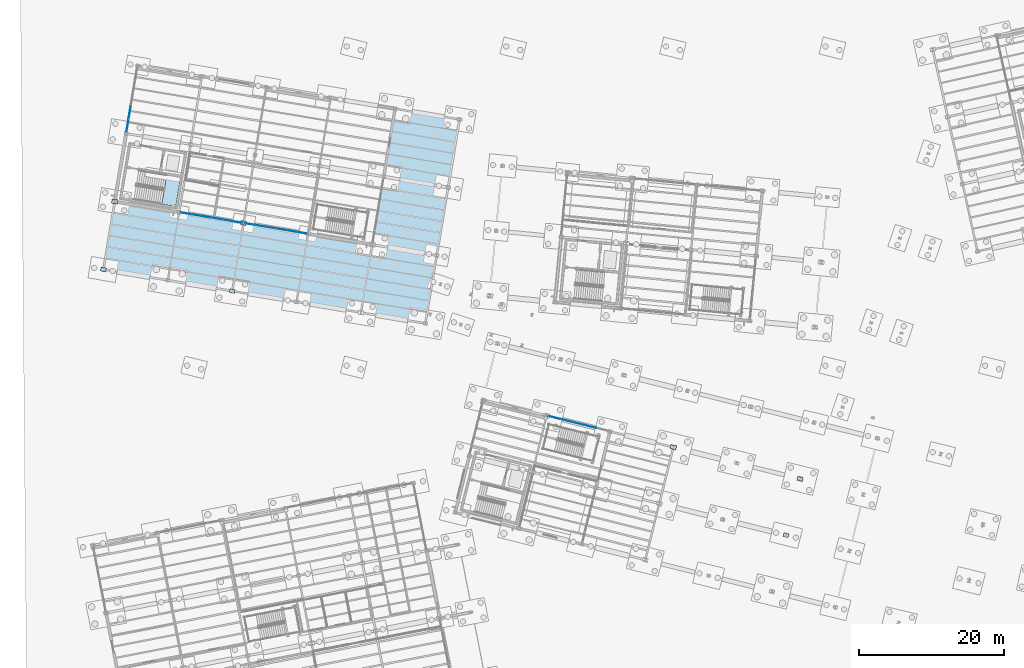
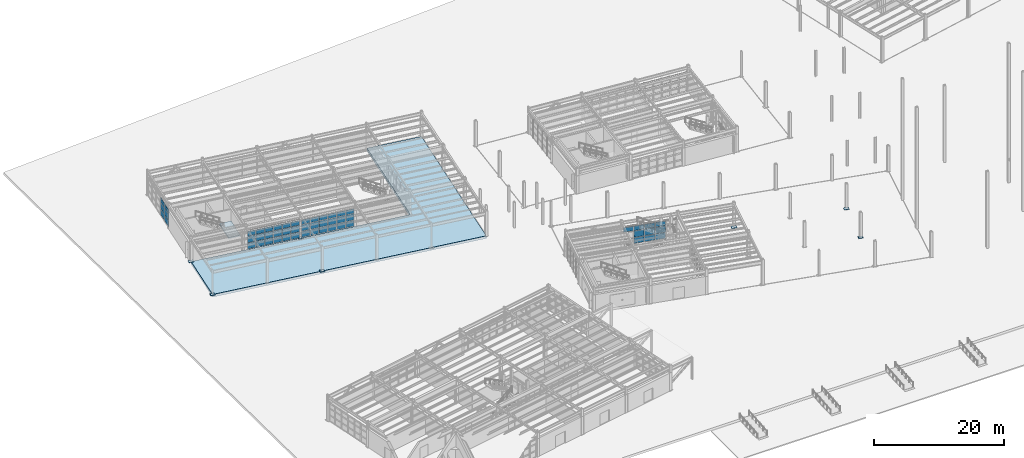
# One storey, part 63 of 108: 59 plates, 2 slabs, 5 elements without a shape of their own.
"""IFC4 building model written with IfcOpenShell, lengths in metres."""

import ifcopenshell
import ifcopenshell.guid

model = None  # the IFC model being written
_history = None  # IfcOwnerHistory: only IFC2X3 demands one
_inside = {}  # id of a spatial element -> (the spatial element, [elements in it])
_under = {}  # id of a project, library or spatial element -> (it, [spatial elements below it])
_declared = {}  # id of a project -> (the project, [libraries it declares])
_typed = {}  # id of a type object -> (the type object, [elements of that type])
_made_of = {}  # id of a material, layer set ... -> (it, [elements and type objects made of it])


def new_model(schema):
    """Start an empty IFC model of exactly this schema.

    Asked for "IFC4X3", IfcOpenShell would pick the latest addendum, in which some entities
    have other attributes; the version numbers below select the first issue.
    IFC2X3 requires an IfcOwnerHistory on every rooted entity: one is made here for all.
    """
    global model, _history
    if schema == "IFC4X3":
        model = ifcopenshell.file(schema_version=(4, 3, 0, 0))
    else:
        model = ifcopenshell.file(schema=schema)
    _inside.clear()
    _under.clear()
    _declared.clear()
    _typed.clear()
    _made_of.clear()
    _history = None
    if model.schema == "IFC2X3":
        org = make("IfcOrganization", Name="unknown")
        user = make(
            "IfcPersonAndOrganization",
            ThePerson=make("IfcPerson", FamilyName="unknown"),
            TheOrganization=org,
        )
        app = make(
            "IfcApplication",
            ApplicationDeveloper=org,
            Version="unknown",
            ApplicationFullName="unknown",
            ApplicationIdentifier="unknown",
        )
        _history = make(
            "IfcOwnerHistory",
            OwningUser=user,
            OwningApplication=app,
            ChangeAction="ADDED",
            CreationDate=0,
        )
    return model


def make(cls, **values):
    """One entity of the class cls with the attributes given. An attribute that is None is left unset."""
    return model.create_entity(
        cls, **{name: value for name, value in values.items() if value is not None}
    )


def rooted(cls, **values):
    """An entity with a GlobalId (a new one), such as an element, a storey or a relation."""
    return make(cls, GlobalId=ifcopenshell.guid.new(), OwnerHistory=_history, **values)


def si_unit(unit_type, name, prefix=None):
    """IfcSIUnit, for example si_unit("LENGTHUNIT", "METRE", prefix="MILLI")."""
    return make("IfcSIUnit", UnitType=unit_type, Prefix=prefix, Name=name)


def assignment(units):
    """IfcUnitAssignment: the units of a project."""
    return None if units is None else make("IfcUnitAssignment", Units=units)


def point(xyz):
    """IfcCartesianPoint."""
    return None if xyz is None else make("IfcCartesianPoint", Coordinates=xyz)


def direction(xyz):
    """IfcDirection."""
    return None if xyz is None else make("IfcDirection", DirectionRatios=xyz)


def frame(location, z_axis=None, x_axis=None):
    """IfcAxis2Placement3D, a coordinate frame: its origin and axes. An axis left out is left unset."""
    return make(
        "IfcAxis2Placement3D",
        Location=point(location),
        Axis=direction(z_axis),
        RefDirection=direction(x_axis),
    )


def frame_2d(location, x_axis=None):
    """IfcAxis2Placement2D, a coordinate frame in the plane: its origin and x axis."""
    return make(
        "IfcAxis2Placement2D", Location=point(location), RefDirection=direction(x_axis)
    )


def origin():
    """The frame at (0, 0, 0) with its axes left unset."""
    return frame((0.0, 0.0, 0.0))


def origin_2d():
    """The frame at (0, 0) in the plane with its x axis left unset."""
    return frame_2d((0.0, 0.0))


def place(relative_to, where):
    """IfcLocalPlacement: puts the frame where relative to a parent placement (None: the world)."""
    return make(
        "IfcLocalPlacement", PlacementRelTo=relative_to, RelativePlacement=where
    )


def context(
    kind, dimensions, precision=None, world=None, true_north=None, identifier=None
):
    """IfcGeometricRepresentationContext, for example the 3D "Model" context."""
    return make(
        "IfcGeometricRepresentationContext",
        ContextIdentifier=identifier,
        ContextType=kind,
        CoordinateSpaceDimension=dimensions,
        Precision=precision,
        WorldCoordinateSystem=world,
        TrueNorth=true_north,
    )


def subcontext(parent, identifier, kind, view, scale=None):
    """IfcGeometricRepresentationSubContext, for example "Body" below "Model"."""
    return make(
        "IfcGeometricRepresentationSubContext",
        ContextIdentifier=identifier,
        ContextType=kind,
        ParentContext=parent,
        TargetScale=scale,
        TargetView=view,
    )


def project(units=None, contexts=None):
    """IfcProject with its units and contexts."""
    return rooted(
        "IfcProject",
        Name="project",
        RepresentationContexts=contexts,
        UnitsInContext=assignment(units),
    )


def spatial(cls, under=None, at=None, **own):
    """A site, building, storey or space (cls), placed at a placement, below another one or the project."""
    s = rooted(cls, ObjectPlacement=at, **own)
    if under is not None:
        _under.setdefault(under.id(), (under, []))[1].append(s)
    return s


def polyline(points):
    """IfcPolyline through the points."""
    return make("IfcPolyline", Points=[point(p) for p in points])


def profile(cls, at=None, kind="AREA", **sizes):
    """A parametric profile (cls). Its sizes go by their IFC names, for example OverallWidth=200.0."""
    return make(cls, ProfileType=kind, Position=at, **sizes)


def rectangle(**sizes):
    """IfcRectangleProfileDef."""
    return profile("IfcRectangleProfileDef", **sizes)


def outline(outer, holes=None, kind="AREA"):
    """IfcArbitraryClosedProfileDef: a profile drawn as a closed curve; with holes, ...WithVoids."""
    if holes is None:
        return make("IfcArbitraryClosedProfileDef", ProfileType=kind, OuterCurve=outer)
    return make(
        "IfcArbitraryProfileDefWithVoids",
        ProfileType=kind,
        OuterCurve=outer,
        InnerCurves=holes,
    )


def extrude(swept, where, along, depth):
    """IfcExtrudedAreaSolid: the profile swept, set in the frame where, extruded along a direction by depth."""
    return make(
        "IfcExtrudedAreaSolid",
        SweptArea=swept,
        Position=where,
        ExtrudedDirection=direction(along),
        Depth=depth,
    )


def shape(context_of_items, identifier, shape_type, items):
    """IfcShapeRepresentation: the items that make up one representation, for example the "Body"."""
    return make(
        "IfcShapeRepresentation",
        ContextOfItems=context_of_items,
        RepresentationIdentifier=identifier,
        RepresentationType=shape_type,
        Items=items,
    )


def material(Name=None, Category=None):
    """IfcMaterial."""
    return make("IfcMaterial", Name=Name, Category=Category)


def layer(
    of_material, thickness, ventilated=None, Name=None, Category=None, Priority=None
):
    """IfcMaterialLayer: one layer of a wall or slab, of a material (None: an air gap)."""
    return make(
        "IfcMaterialLayer",
        Material=of_material,
        LayerThickness=thickness,
        IsVentilated=ventilated,
        Name=Name,
        Category=Category,
        Priority=Priority,
    )


def layer_set(layers, Name=None):
    """IfcMaterialLayerSet."""
    return make("IfcMaterialLayerSet", MaterialLayers=layers, LayerSetName=Name)


def made_of(thing, what):
    """Note that an element or type object is made of a material, layer set ...; save() writes the relation."""
    if what is not None:
        _made_of.setdefault(what.id(), (what, []))[1].append(thing)
    return thing


def type_object(cls, material=None, **own):
    """A type object (cls), such as IfcWallType, which elements share."""
    return made_of(rooted(cls, **own), material)


def element(
    cls,
    number,
    at=None,
    inside=None,
    cuts=None,
    type_object=None,
    material=None,
    context=None,
    identifier="Body",
    shape_type=None,
    held_by="IfcProductDefinitionShape",
    body=None,
    shapes=None,
    **own,
):
    """One element of the class cls, such as IfcWall. Its Tag is "e" and its number.

    at: its placement. inside: the storey or other place that contains it. cuts: it is an
    opening in that element (IfcRelVoidsElement). A single representation is given by context,
    identifier, shape_type and body (its items); several are given by shapes. held_by: the class
    of the entity that holds the representations. save() writes the other relations.
    """
    e = rooted(cls, Tag="e%d" % number, ObjectPlacement=at, **own)
    if body is not None:
        shapes = [shape(context, identifier, shape_type, body)]
    if shapes is not None:
        e.Representation = make(held_by, Representations=shapes)
    if inside is not None:
        _inside.setdefault(inside.id(), (inside, []))[1].append(e)
    if cuts is not None:
        rooted(
            "IfcRelVoidsElement", RelatingBuildingElement=cuts, RelatedOpeningElement=e
        )
    if type_object is not None:
        _typed.setdefault(type_object.id(), (type_object, []))[1].append(e)
    return made_of(e, material)


def aggregate(whole, parts):
    """IfcRelAggregates: a whole, such as a stair, and the parts it consists of."""
    return rooted("IfcRelAggregates", RelatingObject=whole, RelatedObjects=parts)


def save(model, path):
    """Write the relations noted so far, then the file.

    IfcRelAggregates (storeys below a building ...), IfcRelContainedInSpatialStructure (elements
    in a storey), IfcRelDefinesByType, IfcRelAssociatesMaterial and IfcRelDeclares: one each for
    every whole, place, type object, material and project.
    """
    for whole, parts in _under.values():
        aggregate(whole, parts)
    for where, things in _inside.values():
        rooted(
            "IfcRelContainedInSpatialStructure",
            RelatedElements=things,
            RelatingStructure=where,
        )
    for kind, things in _typed.values():
        rooted("IfcRelDefinesByType", RelatedObjects=things, RelatingType=kind)
    for what, things in _made_of.values():
        rooted("IfcRelAssociatesMaterial", RelatedObjects=things, RelatingMaterial=what)
    for by, libraries in _declared.values():
        rooted("IfcRelDeclares", RelatingContext=by, RelatedDefinitions=libraries)
    model.write(path)


model = new_model("IFC4")

# Units and contexts
model_context = context("Model", 3, precision=1e-05, world=origin(), true_north=direction((0.0, 1.0)))
body_context = subcontext(model_context, "Body", "Model", "MODEL_VIEW")
ifc_project = project(units=[si_unit("LENGTHUNIT", "METRE"), si_unit("AREAUNIT", "SQUARE_METRE"), si_unit("VOLUMEUNIT", "CUBIC_METRE"), si_unit("PLANEANGLEUNIT", "RADIAN"), si_unit("MASSUNIT", "GRAM", prefix="KILO")], contexts=[model_context])

# Site, building, storey
site_placement = place(None, origin())
site = spatial("IfcSite", under=ifc_project, at=site_placement, CompositionType="ELEMENT")
building_placement = place(site_placement, origin())
building = spatial("IfcBuilding", under=site, at=building_placement, Name="Vireo Bluff Cable Station", CompositionType="ELEMENT")
storey_placement = place(building_placement, origin())
storey = spatial("IfcBuildingStorey", under=building, at=storey_placement, Name="L00", CompositionType="ELEMENT", Elevation=0.0)

# Plates
ifc_material_1 = material(Name="Steel ASTM A572 Gr. 50", Category="steel")
ifc_layer_1 = layer(ifc_material_1, 0.044921875, Name="Steel ASTM A572 Gr. 50")
ifc_layer_set_1 = layer_set([ifc_layer_1], Name="Steel ASTM A572 Gr. 50")
plate_type_1 = type_object("IfcPlateType", Name="BASEPLATE-720X540X45", PredefinedType="SHEET", material=ifc_layer_set_1)
for number, where, z_axis, x_axis, name in (
    (1, (99.5986328125, 34.8759765625, 0.0), (0.0, 0.0, 1.0), (0.970295726276, -0.2419218956, 0.0), "V1 column baseplate 22"),
    (2, (23.253173828125, 68.529052734375, 0.0), (0.0, 0.0, 1.0), (0.986285601537, -0.165047605861, 0.0), "V4 column baseplate 166"),
):
    element("IfcPlate", number, at=place(storey_placement, frame(where, z_axis=z_axis, x_axis=x_axis)), inside=storey, type_object=plate_type_1, Name=name, PredefinedType="SHEET", context=body_context, shape_type="SweptSolid", body=[
        extrude(rectangle(XDim=0.719970703125, YDim=0.5400390625, at=origin_2d()), origin(), (0.0, 0.0, 1.0), 0.044921875),
    ])
ifc_layer_2 = layer(ifc_material_1, 0.047119140625, Name="Steel ASTM A572 Gr. 50")
ifc_layer_set_2 = layer_set([ifc_layer_2], Name="Steel ASTM A572 Gr. 50")
plate_type_2 = type_object("IfcPlateType", Name="BASEPLATE-740X550X47", PredefinedType="SHEET", material=ifc_layer_set_2)
plate_1_placement = place(storey_placement, frame((5.5, 71.5, 0.0), z_axis=(0.0, 0.0, 1.0), x_axis=(0.986285601537, -0.165047605861, 0.0)))
element("IfcPlate", 3, at=plate_1_placement, inside=storey, type_object=plate_type_2, Name="V4 column baseplate 158", PredefinedType="SHEET", context=body_context, shape_type="SweptSolid", body=[
    extrude(rectangle(XDim=0.739990234375, YDim=0.550048828125, at=origin_2d()), origin(), (0.0, 0.0, 1.0), 0.047119140625),
])
ifc_layer_3 = layer(ifc_material_1, 0.050048828125, Name="Steel ASTM A572 Gr. 50")
ifc_layer_set_3 = layer_set([ifc_layer_3], Name="Steel ASTM A572 Gr. 50")
plate_type_3 = type_object("IfcPlateType", Name="BASEPLATE-780X580X50", PredefinedType="SHEET", material=ifc_layer_set_3)
for number, where, z_axis, x_axis, name in (
    (4, (101.5341796875, 42.63818359375, 0.0), (0.0, 0.0, 1.0), (0.970295726276, -0.2419218956, 0.0), "V1 column baseplate 23"),
    (5, (24.821044921875, 77.89892578125, 0.0), (0.0, 0.0, 1.0), (0.986285601537, -0.165047605861, 0.0), "V4 column baseplate 167"),
):
    element("IfcPlate", number, at=place(storey_placement, frame(where, z_axis=z_axis, x_axis=x_axis)), inside=storey, type_object=plate_type_3, Name=name, PredefinedType="SHEET", context=body_context, shape_type="SweptSolid", body=[
        extrude(rectangle(XDim=0.780029296875, YDim=0.580078125, at=origin_2d()), origin(), (0.0, 0.0, 1.0), 0.050048828125),
    ])
ifc_layer_4 = layer(ifc_material_1, 0.052001953125, Name="Steel ASTM A572 Gr. 50")
ifc_layer_set_4 = layer_set([ifc_layer_4], Name="Steel ASTM A572 Gr. 50")
plate_type_4 = type_object("IfcPlateType", Name="BASEPLATE-820X600X52", PredefinedType="SHEET", material=ifc_layer_set_4)
for number, where, z_axis, x_axis, name in (
    (6, (84.06884765625, 46.992919921875, 0.0), (0.0, 0.0, 1.0), (0.970295726276, -0.2419218956, 0.0), "V1 column baseplate 15"),
    (7, (7.06787109375, 80.86962890625, 0.0), (0.0, 0.0, 1.0), (0.986285601537, -0.165047605861, 0.0), "V4 column baseplate 159"),
):
    element("IfcPlate", number, at=place(storey_placement, frame(where, z_axis=z_axis, x_axis=x_axis)), inside=storey, type_object=plate_type_4, Name=name, PredefinedType="SHEET", context=body_context, shape_type="SweptSolid", body=[
        extrude(rectangle(XDim=0.820068359375, YDim=0.60009765625, at=origin_2d()), origin(), (0.0, 0.0, 1.0), 0.052001953125),
    ])

# Curtain wall, plates
ifc_material_2 = material(Name="Anodized Aluminium 6063-T6", Category="aluminium")
ifc_layer_5 = layer(ifc_material_2, 0.179931640625, Name="Anodized Aluminium 6063-T6")
ifc_layer_set_5 = layer_set([ifc_layer_5], Name="Anodized Aluminium 6063-T6")
curtain_wall_type_1 = type_object("IfcCurtainWallType", Name="CW-UNIT-1400", PredefinedType="USERDEFINED", material=ifc_layer_set_5)
curtain_wall_1_placement = place(storey_placement, origin())
curtain_wall_1 = element("IfcCurtainWall", 8, at=curtain_wall_1_placement, inside=storey, type_object=curtain_wall_type_1, Name="V4 L00 south curtain wall CW-081", ObjectType="UNITISED CURTAIN WALL", PredefinedType="USERDEFINED")
ifc_material_3 = material(Name="Laminated Low-E Insulated Glass", Category="glass")
ifc_layer_6 = layer(ifc_material_3, 0.031982421875, Name="Laminated Low-E Insulated Glass")
ifc_layer_set_6 = layer_set([ifc_layer_6], Name="Laminated Low-E Insulated Glass")
plate_type_5 = type_object("IfcPlateType", Name="CWP-32-2", PredefinedType="CURTAIN_PANEL", material=ifc_layer_set_6)
plate_2_placement = place(storey_placement, frame((32.85595703125, 76.55419921875, 0.0751953125), z_axis=(0.0, 0.0, 1.0), x_axis=(-0.986285608641, 0.165047563411, 0.0)))
plate_2 = element("IfcPlate", 9, at=plate_2_placement, type_object=plate_type_5, Name="CW-081 panel 1.1", PredefinedType="CURTAIN_PANEL", context=body_context, shape_type="SweptSolid", body=[
    extrude(rectangle(XDim=1.3486328125, YDim=0.031982421875, at=origin_2d()), origin(), (0.0, 0.0, 1.0), 1.077392578125),
])
plate_3_placement = place(storey_placement, frame((32.85595703125, 76.55419921875, 1.2275390625), z_axis=(0.0, 0.0, 1.0), x_axis=(-0.986285608641, 0.165047563411, 0.0)))
plate_3 = element("IfcPlate", 10, at=plate_3_placement, type_object=plate_type_5, Name="CW-081 panel 1.2", PredefinedType="CURTAIN_PANEL", context=body_context, shape_type="SweptSolid", body=[
    extrude(rectangle(XDim=1.3486328125, YDim=0.031982421875, at=origin_2d()), origin(), (0.0, 0.0, 1.0), 1.18310546875),
])
plate_4_placement = place(storey_placement, frame((32.85595703125, 76.55419921875, 2.4853515625), z_axis=(0.0, 0.0, 1.0), x_axis=(-0.986285608641, 0.165047563411, 0.0)))
plate_4 = element("IfcPlate", 11, at=plate_4_placement, type_object=plate_type_5, Name="CW-081 panel 1.3", PredefinedType="CURTAIN_PANEL", context=body_context, shape_type="SweptSolid", body=[
    extrude(rectangle(XDim=1.3486328125, YDim=0.031982421875, at=origin_2d()), origin(), (0.0, 0.0, 1.0), 0.839599609375),
])
plate_5_placement = place(storey_placement, frame((31.433349609375, 76.792236328125, 0.0751953125), z_axis=(0.0, 0.0, 1.0), x_axis=(-0.986285608641, 0.165047563411, 0.0)))
plate_5 = element("IfcPlate", 12, at=plate_5_placement, type_object=plate_type_5, Name="CW-081 panel 2.1", PredefinedType="CURTAIN_PANEL", context=body_context, shape_type="SweptSolid", body=[
    extrude(rectangle(XDim=1.38623046875, YDim=0.031982421875, at=origin_2d()), origin(), (0.0, 0.0, 1.0), 1.077392578125),
])
plate_6_placement = place(storey_placement, frame((31.433349609375, 76.792236328125, 1.2275390625), z_axis=(0.0, 0.0, 1.0), x_axis=(-0.986285608641, 0.165047563411, 0.0)))
plate_6 = element("IfcPlate", 13, at=plate_6_placement, type_object=plate_type_5, Name="CW-081 panel 2.2", PredefinedType="CURTAIN_PANEL", context=body_context, shape_type="SweptSolid", body=[
    extrude(rectangle(XDim=1.38623046875, YDim=0.031982421875, at=origin_2d()), origin(), (0.0, 0.0, 1.0), 1.18310546875),
])
plate_7_placement = place(storey_placement, frame((31.433349609375, 76.792236328125, 2.4853515625), z_axis=(0.0, 0.0, 1.0), x_axis=(-0.986285608641, 0.165047563411, 0.0)))
plate_7 = element("IfcPlate", 14, at=plate_7_placement, type_object=plate_type_5, Name="CW-081 panel 2.3", PredefinedType="CURTAIN_PANEL", context=body_context, shape_type="SweptSolid", body=[
    extrude(rectangle(XDim=1.38623046875, YDim=0.031982421875, at=origin_2d()), origin(), (0.0, 0.0, 1.0), 0.839599609375),
])
plate_8_placement = place(storey_placement, frame((29.9921875, 77.033447265625, 0.0751953125), z_axis=(0.0, 0.0, 1.0), x_axis=(-0.986285608641, 0.165047563411, 0.0)))
plate_8 = element("IfcPlate", 15, at=plate_8_placement, type_object=plate_type_5, Name="CW-081 panel 3.1", PredefinedType="CURTAIN_PANEL", context=body_context, shape_type="SweptSolid", body=[
    extrude(rectangle(XDim=1.38623046875, YDim=0.031982421875, at=origin_2d()), origin(), (0.0, 0.0, 1.0), 1.077392578125),
])
plate_9_placement = place(storey_placement, frame((29.9921875, 77.033447265625, 1.2275390625), z_axis=(0.0, 0.0, 1.0), x_axis=(-0.986285608641, 0.165047563411, 0.0)))
plate_9 = element("IfcPlate", 16, at=plate_9_placement, type_object=plate_type_5, Name="CW-081 panel 3.2", PredefinedType="CURTAIN_PANEL", context=body_context, shape_type="SweptSolid", body=[
    extrude(rectangle(XDim=1.38623046875, YDim=0.031982421875, at=origin_2d()), origin(), (0.0, 0.0, 1.0), 1.18310546875),
])
plate_10_placement = place(storey_placement, frame((29.9921875, 77.033447265625, 2.4853515625), z_axis=(0.0, 0.0, 1.0), x_axis=(-0.986285608641, 0.165047563411, 0.0)))
plate_10 = element("IfcPlate", 17, at=plate_10_placement, type_object=plate_type_5, Name="CW-081 panel 3.3", PredefinedType="CURTAIN_PANEL", context=body_context, shape_type="SweptSolid", body=[
    extrude(rectangle(XDim=1.38623046875, YDim=0.031982421875, at=origin_2d()), origin(), (0.0, 0.0, 1.0), 0.839599609375),
])
plate_11_placement = place(storey_placement, frame((28.551025390625, 77.274658203125, 0.0751953125), z_axis=(0.0, 0.0, 1.0), x_axis=(-0.986285608641, 0.165047563411, 0.0)))
plate_11 = element("IfcPlate", 18, at=plate_11_placement, type_object=plate_type_5, Name="CW-081 panel 4.1", PredefinedType="CURTAIN_PANEL", context=body_context, shape_type="SweptSolid", body=[
    extrude(rectangle(XDim=1.38623046875, YDim=0.031982421875, at=origin_2d()), origin(), (0.0, 0.0, 1.0), 1.077392578125),
])
plate_12_placement = place(storey_placement, frame((28.551025390625, 77.274658203125, 1.2275390625), z_axis=(0.0, 0.0, 1.0), x_axis=(-0.986285608641, 0.165047563411, 0.0)))
plate_12 = element("IfcPlate", 19, at=plate_12_placement, type_object=plate_type_5, Name="CW-081 panel 4.2", PredefinedType="CURTAIN_PANEL", context=body_context, shape_type="SweptSolid", body=[
    extrude(rectangle(XDim=1.38623046875, YDim=0.031982421875, at=origin_2d()), origin(), (0.0, 0.0, 1.0), 1.18310546875),
])
plate_13_placement = place(storey_placement, frame((28.551025390625, 77.274658203125, 2.4853515625), z_axis=(0.0, 0.0, 1.0), x_axis=(-0.986285608641, 0.165047563411, 0.0)))
plate_13 = element("IfcPlate", 20, at=plate_13_placement, type_object=plate_type_5, Name="CW-081 panel 4.3", PredefinedType="CURTAIN_PANEL", context=body_context, shape_type="SweptSolid", body=[
    extrude(rectangle(XDim=1.38623046875, YDim=0.031982421875, at=origin_2d()), origin(), (0.0, 0.0, 1.0), 0.839599609375),
])
plate_14_placement = place(storey_placement, frame((27.110107421875, 77.515869140625, 0.0751953125), z_axis=(0.0, 0.0, 1.0), x_axis=(-0.986285608641, 0.165047563411, 0.0)))
plate_14 = element("IfcPlate", 21, at=plate_14_placement, type_object=plate_type_5, Name="CW-081 panel 5.1", PredefinedType="CURTAIN_PANEL", context=body_context, shape_type="SweptSolid", body=[
    extrude(rectangle(XDim=1.38623046875, YDim=0.031982421875, at=origin_2d()), origin(), (0.0, 0.0, 1.0), 1.077392578125),
])
plate_15_placement = place(storey_placement, frame((27.110107421875, 77.515869140625, 1.2275390625), z_axis=(0.0, 0.0, 1.0), x_axis=(-0.986285608641, 0.165047563411, 0.0)))
plate_15 = element("IfcPlate", 22, at=plate_15_placement, type_object=plate_type_5, Name="CW-081 panel 5.2", PredefinedType="CURTAIN_PANEL", context=body_context, shape_type="SweptSolid", body=[
    extrude(rectangle(XDim=1.38623046875, YDim=0.031982421875, at=origin_2d()), origin(), (0.0, 0.0, 1.0), 1.18310546875),
])
plate_16_placement = place(storey_placement, frame((27.110107421875, 77.515869140625, 2.4853515625), z_axis=(0.0, 0.0, 1.0), x_axis=(-0.986285608641, 0.165047563411, 0.0)))
plate_16 = element("IfcPlate", 23, at=plate_16_placement, type_object=plate_type_5, Name="CW-081 panel 5.3", PredefinedType="CURTAIN_PANEL", context=body_context, shape_type="SweptSolid", body=[
    extrude(rectangle(XDim=1.38623046875, YDim=0.031982421875, at=origin_2d()), origin(), (0.0, 0.0, 1.0), 0.839599609375),
])
plate_17_placement = place(storey_placement, frame((25.6875, 77.75390625, 0.0751953125), z_axis=(0.0, 0.0, 1.0), x_axis=(-0.986285608641, 0.165047563411, 0.0)))
plate_17 = element("IfcPlate", 24, at=plate_17_placement, type_object=plate_type_5, Name="CW-081 panel 6.1", PredefinedType="CURTAIN_PANEL", context=body_context, shape_type="SweptSolid", body=[
    extrude(rectangle(XDim=1.3486328125, YDim=0.031982421875, at=origin_2d()), origin(), (0.0, 0.0, 1.0), 1.077392578125),
])
plate_18_placement = place(storey_placement, frame((25.6875, 77.75390625, 1.2275390625), z_axis=(0.0, 0.0, 1.0), x_axis=(-0.986285608641, 0.165047563411, 0.0)))
plate_18 = element("IfcPlate", 25, at=plate_18_placement, type_object=plate_type_5, Name="CW-081 panel 6.2", PredefinedType="CURTAIN_PANEL", context=body_context, shape_type="SweptSolid", body=[
    extrude(rectangle(XDim=1.3486328125, YDim=0.031982421875, at=origin_2d()), origin(), (0.0, 0.0, 1.0), 1.18310546875),
])
plate_19_placement = place(storey_placement, frame((25.6875, 77.75390625, 2.4853515625), z_axis=(0.0, 0.0, 1.0), x_axis=(-0.986285608641, 0.165047563411, 0.0)))
plate_19 = element("IfcPlate", 26, at=plate_19_placement, type_object=plate_type_5, Name="CW-081 panel 6.3", PredefinedType="CURTAIN_PANEL", context=body_context, shape_type="SweptSolid", body=[
    extrude(rectangle(XDim=1.3486328125, YDim=0.031982421875, at=origin_2d()), origin(), (0.0, 0.0, 1.0), 0.839599609375),
])
aggregate(curtain_wall_1, [plate_2, plate_3, plate_4, plate_5, plate_6, plate_7, plate_8, plate_9, plate_10, plate_11, plate_12, plate_13, plate_14, plate_15, plate_16, plate_17, plate_18, plate_19])

ifc_layer_7 = layer(ifc_material_2, 0.179931640625, Name="Anodized Aluminium 6063-T6")
ifc_layer_set_7 = layer_set([ifc_layer_7], Name="Anodized Aluminium 6063-T6")
curtain_wall_type_2 = type_object("IfcCurtainWallType", Name="CW-UNIT-1650", PredefinedType="USERDEFINED", material=ifc_layer_set_7)
curtain_wall_2_placement = place(storey_placement, origin())
curtain_wall_2 = element("IfcCurtainWall", 27, at=curtain_wall_2_placement, inside=storey, type_object=curtain_wall_type_2, Name="V1 L00 north curtain wall CW-002", ObjectType="UNITISED CURTAIN WALL", PredefinedType="USERDEFINED")
ifc_layer_8 = layer(ifc_material_3, 0.035888671875, Name="Laminated Low-E Insulated Glass")
ifc_layer_set_8 = layer_set([ifc_layer_8], Name="Laminated Low-E Insulated Glass")
plate_type_6 = type_object("IfcPlateType", Name="CWP-36-3", PredefinedType="CURTAIN_PANEL", material=ifc_layer_set_8)
plate_20_placement = place(storey_placement, frame((67.6484375, 51.0869140625, 2.47802734375), z_axis=(0.0, 0.0, 1.0), x_axis=(0.97029574678, -0.241921813364, 0.0)))
plate_20 = element("IfcPlate", 28, at=plate_20_placement, type_object=plate_type_6, Name="CW-002 panel 1.3", PredefinedType="CURTAIN_PANEL", context=body_context, shape_type="SweptSolid", body=[
    extrude(rectangle(XDim=1.62890625, YDim=0.035888671875, at=origin_2d()), origin(), (0.0, 0.0, 1.0), 0.862060546875),
])
plate_21_placement = place(storey_placement, frame((69.3017578125, 50.674560546875, 0.06005859375), z_axis=(0.0, 0.0, 1.0), x_axis=(0.97029574678, -0.241921813364, 0.0)))
plate_21 = element("IfcPlate", 29, at=plate_21_placement, type_object=plate_type_6, Name="CW-002 panel 2.1", PredefinedType="CURTAIN_PANEL", context=body_context, shape_type="SweptSolid", body=[
    extrude(rectangle(XDim=1.658935546875, YDim=0.035888671875, at=origin_2d()), origin(), (0.0, 0.0, 1.0), 1.10009765625),
])
plate_22_placement = place(storey_placement, frame((69.3017578125, 50.674560546875, 1.22021484375), z_axis=(0.0, 0.0, 1.0), x_axis=(0.97029574678, -0.241921813364, 0.0)))
plate_22 = element("IfcPlate", 30, at=plate_22_placement, type_object=plate_type_6, Name="CW-002 panel 2.2", PredefinedType="CURTAIN_PANEL", context=body_context, shape_type="SweptSolid", body=[
    extrude(rectangle(XDim=1.658935546875, YDim=0.035888671875, at=origin_2d()), origin(), (0.0, 0.0, 1.0), 1.197998046875),
])
plate_23_placement = place(storey_placement, frame((69.3017578125, 50.674560546875, 2.47802734375), z_axis=(0.0, 0.0, 1.0), x_axis=(0.97029574678, -0.241921813364, 0.0)))
plate_23 = element("IfcPlate", 31, at=plate_23_placement, type_object=plate_type_6, Name="CW-002 panel 2.3", PredefinedType="CURTAIN_PANEL", context=body_context, shape_type="SweptSolid", body=[
    extrude(rectangle(XDim=1.658935546875, YDim=0.035888671875, at=origin_2d()), origin(), (0.0, 0.0, 1.0), 0.862060546875),
])
plate_24_placement = place(storey_placement, frame((70.9697265625, 50.2587890625, 0.06005859375), z_axis=(0.0, 0.0, 1.0), x_axis=(0.97029574678, -0.241921813364, 0.0)))
plate_24 = element("IfcPlate", 32, at=plate_24_placement, type_object=plate_type_6, Name="CW-002 panel 3.1", PredefinedType="CURTAIN_PANEL", context=body_context, shape_type="SweptSolid", body=[
    extrude(rectangle(XDim=1.658935546875, YDim=0.035888671875, at=origin_2d()), origin(), (0.0, 0.0, 1.0), 1.10009765625),
])
plate_25_placement = place(storey_placement, frame((70.9697265625, 50.2587890625, 1.22021484375), z_axis=(0.0, 0.0, 1.0), x_axis=(0.97029574678, -0.241921813364, 0.0)))
plate_25 = element("IfcPlate", 33, at=plate_25_placement, type_object=plate_type_6, Name="CW-002 panel 3.2", PredefinedType="CURTAIN_PANEL", context=body_context, shape_type="SweptSolid", body=[
    extrude(rectangle(XDim=1.658935546875, YDim=0.035888671875, at=origin_2d()), origin(), (0.0, 0.0, 1.0), 1.197998046875),
])
plate_26_placement = place(storey_placement, frame((70.9697265625, 50.2587890625, 2.47802734375), z_axis=(0.0, 0.0, 1.0), x_axis=(0.97029574678, -0.241921813364, 0.0)))
plate_26 = element("IfcPlate", 34, at=plate_26_placement, type_object=plate_type_6, Name="CW-002 panel 3.3", PredefinedType="CURTAIN_PANEL", context=body_context, shape_type="SweptSolid", body=[
    extrude(rectangle(XDim=1.658935546875, YDim=0.035888671875, at=origin_2d()), origin(), (0.0, 0.0, 1.0), 0.862060546875),
])
plate_27_placement = place(storey_placement, frame((72.6376953125, 49.843017578125, 0.06005859375), z_axis=(0.0, 0.0, 1.0), x_axis=(0.97029574678, -0.241921813364, 0.0)))
plate_27 = element("IfcPlate", 35, at=plate_27_placement, type_object=plate_type_6, Name="CW-002 panel 4.1", PredefinedType="CURTAIN_PANEL", context=body_context, shape_type="SweptSolid", body=[
    extrude(rectangle(XDim=1.658935546875, YDim=0.035888671875, at=origin_2d()), origin(), (0.0, 0.0, 1.0), 1.10009765625),
])
plate_28_placement = place(storey_placement, frame((72.6376953125, 49.843017578125, 1.22021484375), z_axis=(0.0, 0.0, 1.0), x_axis=(0.97029574678, -0.241921813364, 0.0)))
plate_28 = element("IfcPlate", 36, at=plate_28_placement, type_object=plate_type_6, Name="CW-002 panel 4.2", PredefinedType="CURTAIN_PANEL", context=body_context, shape_type="SweptSolid", body=[
    extrude(rectangle(XDim=1.658935546875, YDim=0.035888671875, at=origin_2d()), origin(), (0.0, 0.0, 1.0), 1.197998046875),
])
plate_29_placement = place(storey_placement, frame((72.6376953125, 49.843017578125, 2.47802734375), z_axis=(0.0, 0.0, 1.0), x_axis=(0.97029574678, -0.241921813364, 0.0)))
plate_29 = element("IfcPlate", 37, at=plate_29_placement, type_object=plate_type_6, Name="CW-002 panel 4.3", PredefinedType="CURTAIN_PANEL", context=body_context, shape_type="SweptSolid", body=[
    extrude(rectangle(XDim=1.658935546875, YDim=0.035888671875, at=origin_2d()), origin(), (0.0, 0.0, 1.0), 0.862060546875),
])
aggregate(curtain_wall_2, [plate_20, plate_21, plate_22, plate_23, plate_24, plate_25, plate_26, plate_27, plate_28, plate_29])

ifc_layer_9 = layer(ifc_material_2, 0.179931640625, Name="Anodized Aluminium 6063-T6")
ifc_layer_set_9 = layer_set([ifc_layer_9], Name="Anodized Aluminium 6063-T6")
curtain_wall_type_3 = type_object("IfcCurtainWallType", Name="CW-UNIT-1500", PredefinedType="USERDEFINED", material=ifc_layer_set_9)
curtain_wall_3_placement = place(storey_placement, origin())
curtain_wall_3 = element("IfcCurtainWall", 38, at=curtain_wall_3_placement, inside=storey, type_object=curtain_wall_type_3, Name="V4 L00 south curtain wall CW-082", ObjectType="UNITISED CURTAIN WALL", PredefinedType="USERDEFINED")
plate_30_placement = place(storey_placement, frame((23.966796875, 78.041748046875, 0.06005859375), z_axis=(0.0, 0.0, 1.0), x_axis=(-0.986285593057, 0.165047656538, 0.0)))
plate_30 = element("IfcPlate", 39, at=plate_30_placement, type_object=plate_type_6, Name="CW-082 panel 1.1", PredefinedType="CURTAIN_PANEL", context=body_context, shape_type="SweptSolid", body=[
    extrude(rectangle(XDim=1.354248046875, YDim=0.035888671875, at=origin_2d()), origin(), (0.0, 0.0, 1.0), 1.10009765625),
])
plate_31_placement = place(storey_placement, frame((23.966796875, 78.041748046875, 1.22021484375), z_axis=(0.0, 0.0, 1.0), x_axis=(-0.986285593057, 0.165047656538, 0.0)))
plate_31 = element("IfcPlate", 40, at=plate_31_placement, type_object=plate_type_6, Name="CW-082 panel 1.2", PredefinedType="CURTAIN_PANEL", context=body_context, shape_type="SweptSolid", body=[
    extrude(rectangle(XDim=1.354248046875, YDim=0.035888671875, at=origin_2d()), origin(), (0.0, 0.0, 1.0), 1.197998046875),
])
plate_32_placement = place(storey_placement, frame((23.966796875, 78.041748046875, 2.47802734375), z_axis=(0.0, 0.0, 1.0), x_axis=(-0.986285593057, 0.165047656538, 0.0)))
plate_32 = element("IfcPlate", 41, at=plate_32_placement, type_object=plate_type_6, Name="CW-082 panel 1.3", PredefinedType="CURTAIN_PANEL", context=body_context, shape_type="SweptSolid", body=[
    extrude(rectangle(XDim=1.354248046875, YDim=0.035888671875, at=origin_2d()), origin(), (0.0, 0.0, 1.0), 0.862060546875),
])
plate_33_placement = place(storey_placement, frame((22.55712890625, 78.27783203125, 0.06005859375), z_axis=(0.0, 0.0, 1.0), x_axis=(-0.986285593057, 0.165047656538, 0.0)))
plate_33 = element("IfcPlate", 42, at=plate_33_placement, type_object=plate_type_6, Name="CW-082 panel 2.1", PredefinedType="CURTAIN_PANEL", context=body_context, shape_type="SweptSolid", body=[
    extrude(rectangle(XDim=1.38427734375, YDim=0.035888671875, at=origin_2d()), origin(), (0.0, 0.0, 1.0), 1.10009765625),
])
plate_34_placement = place(storey_placement, frame((22.55712890625, 78.27783203125, 1.22021484375), z_axis=(0.0, 0.0, 1.0), x_axis=(-0.986285593057, 0.165047656538, 0.0)))
plate_34 = element("IfcPlate", 43, at=plate_34_placement, type_object=plate_type_6, Name="CW-082 panel 2.2", PredefinedType="CURTAIN_PANEL", context=body_context, shape_type="SweptSolid", body=[
    extrude(rectangle(XDim=1.38427734375, YDim=0.035888671875, at=origin_2d()), origin(), (0.0, 0.0, 1.0), 1.197998046875),
])
plate_35_placement = place(storey_placement, frame((22.55712890625, 78.27783203125, 2.47802734375), z_axis=(0.0, 0.0, 1.0), x_axis=(-0.986285593057, 0.165047656538, 0.0)))
plate_35 = element("IfcPlate", 44, at=plate_35_placement, type_object=plate_type_6, Name="CW-082 panel 2.3", PredefinedType="CURTAIN_PANEL", context=body_context, shape_type="SweptSolid", body=[
    extrude(rectangle(XDim=1.38427734375, YDim=0.035888671875, at=origin_2d()), origin(), (0.0, 0.0, 1.0), 0.862060546875),
])
plate_36_placement = place(storey_placement, frame((21.132568359375, 78.51611328125, 0.06005859375), z_axis=(0.0, 0.0, 1.0), x_axis=(-0.986285593057, 0.165047656538, 0.0)))
plate_36 = element("IfcPlate", 45, at=plate_36_placement, type_object=plate_type_6, Name="CW-082 panel 3.1", PredefinedType="CURTAIN_PANEL", context=body_context, shape_type="SweptSolid", body=[
    extrude(rectangle(XDim=1.38427734375, YDim=0.035888671875, at=origin_2d()), origin(), (0.0, 0.0, 1.0), 1.10009765625),
])
plate_37_placement = place(storey_placement, frame((21.132568359375, 78.51611328125, 1.22021484375), z_axis=(0.0, 0.0, 1.0), x_axis=(-0.986285593057, 0.165047656538, 0.0)))
plate_37 = element("IfcPlate", 46, at=plate_37_placement, type_object=plate_type_6, Name="CW-082 panel 3.2", PredefinedType="CURTAIN_PANEL", context=body_context, shape_type="SweptSolid", body=[
    extrude(rectangle(XDim=1.38427734375, YDim=0.035888671875, at=origin_2d()), origin(), (0.0, 0.0, 1.0), 1.197998046875),
])
plate_38_placement = place(storey_placement, frame((21.132568359375, 78.51611328125, 2.47802734375), z_axis=(0.0, 0.0, 1.0), x_axis=(-0.986285593057, 0.165047656538, 0.0)))
plate_38 = element("IfcPlate", 47, at=plate_38_placement, type_object=plate_type_6, Name="CW-082 panel 3.3", PredefinedType="CURTAIN_PANEL", context=body_context, shape_type="SweptSolid", body=[
    extrude(rectangle(XDim=1.38427734375, YDim=0.035888671875, at=origin_2d()), origin(), (0.0, 0.0, 1.0), 0.862060546875),
])
plate_39_placement = place(storey_placement, frame((19.7080078125, 78.75439453125, 0.06005859375), z_axis=(0.0, 0.0, 1.0), x_axis=(-0.986285593057, 0.165047656538, 0.0)))
plate_39 = element("IfcPlate", 48, at=plate_39_placement, type_object=plate_type_6, Name="CW-082 panel 4.1", PredefinedType="CURTAIN_PANEL", context=body_context, shape_type="SweptSolid", body=[
    extrude(rectangle(XDim=1.38427734375, YDim=0.035888671875, at=origin_2d()), origin(), (0.0, 0.0, 1.0), 1.10009765625),
])
plate_40_placement = place(storey_placement, frame((19.7080078125, 78.75439453125, 1.22021484375), z_axis=(0.0, 0.0, 1.0), x_axis=(-0.986285593057, 0.165047656538, 0.0)))
plate_40 = element("IfcPlate", 49, at=plate_40_placement, type_object=plate_type_6, Name="CW-082 panel 4.2", PredefinedType="CURTAIN_PANEL", context=body_context, shape_type="SweptSolid", body=[
    extrude(rectangle(XDim=1.38427734375, YDim=0.035888671875, at=origin_2d()), origin(), (0.0, 0.0, 1.0), 1.197998046875),
])
plate_41_placement = place(storey_placement, frame((19.7080078125, 78.75439453125, 2.47802734375), z_axis=(0.0, 0.0, 1.0), x_axis=(-0.986285593057, 0.165047656538, 0.0)))
plate_41 = element("IfcPlate", 50, at=plate_41_placement, type_object=plate_type_6, Name="CW-082 panel 4.3", PredefinedType="CURTAIN_PANEL", context=body_context, shape_type="SweptSolid", body=[
    extrude(rectangle(XDim=1.38427734375, YDim=0.035888671875, at=origin_2d()), origin(), (0.0, 0.0, 1.0), 0.862060546875),
])
plate_42_placement = place(storey_placement, frame((18.283447265625, 78.992919921875, 0.06005859375), z_axis=(0.0, 0.0, 1.0), x_axis=(-0.986285593057, 0.165047656538, 0.0)))
plate_42 = element("IfcPlate", 51, at=plate_42_placement, type_object=plate_type_6, Name="CW-082 panel 5.1", PredefinedType="CURTAIN_PANEL", context=body_context, shape_type="SweptSolid", body=[
    extrude(rectangle(XDim=1.38427734375, YDim=0.035888671875, at=origin_2d()), origin(), (0.0, 0.0, 1.0), 1.10009765625),
])
plate_43_placement = place(storey_placement, frame((18.283447265625, 78.992919921875, 1.22021484375), z_axis=(0.0, 0.0, 1.0), x_axis=(-0.986285593057, 0.165047656538, 0.0)))
plate_43 = element("IfcPlate", 52, at=plate_43_placement, type_object=plate_type_6, Name="CW-082 panel 5.2", PredefinedType="CURTAIN_PANEL", context=body_context, shape_type="SweptSolid", body=[
    extrude(rectangle(XDim=1.38427734375, YDim=0.035888671875, at=origin_2d()), origin(), (0.0, 0.0, 1.0), 1.197998046875),
])
plate_44_placement = place(storey_placement, frame((18.283447265625, 78.992919921875, 2.47802734375), z_axis=(0.0, 0.0, 1.0), x_axis=(-0.986285593057, 0.165047656538, 0.0)))
plate_44 = element("IfcPlate", 53, at=plate_44_placement, type_object=plate_type_6, Name="CW-082 panel 5.3", PredefinedType="CURTAIN_PANEL", context=body_context, shape_type="SweptSolid", body=[
    extrude(rectangle(XDim=1.38427734375, YDim=0.035888671875, at=origin_2d()), origin(), (0.0, 0.0, 1.0), 0.862060546875),
])
plate_45_placement = place(storey_placement, frame((16.873779296875, 79.228759765625, 0.06005859375), z_axis=(0.0, 0.0, 1.0), x_axis=(-0.986285593057, 0.165047656538, 0.0)))
plate_45 = element("IfcPlate", 54, at=plate_45_placement, type_object=plate_type_6, Name="CW-082 panel 6.1", PredefinedType="CURTAIN_PANEL", context=body_context, shape_type="SweptSolid", body=[
    extrude(rectangle(XDim=1.354248046875, YDim=0.035888671875, at=origin_2d()), origin(), (0.0, 0.0, 1.0), 1.10009765625),
])
plate_46_placement = place(storey_placement, frame((16.873779296875, 79.228759765625, 1.22021484375), z_axis=(0.0, 0.0, 1.0), x_axis=(-0.986285593057, 0.165047656538, 0.0)))
plate_46 = element("IfcPlate", 55, at=plate_46_placement, type_object=plate_type_6, Name="CW-082 panel 6.2", PredefinedType="CURTAIN_PANEL", context=body_context, shape_type="SweptSolid", body=[
    extrude(rectangle(XDim=1.354248046875, YDim=0.035888671875, at=origin_2d()), origin(), (0.0, 0.0, 1.0), 1.197998046875),
])
plate_47_placement = place(storey_placement, frame((16.873779296875, 79.228759765625, 2.47802734375), z_axis=(0.0, 0.0, 1.0), x_axis=(-0.986285593057, 0.165047656538, 0.0)))
plate_47 = element("IfcPlate", 56, at=plate_47_placement, type_object=plate_type_6, Name="CW-082 panel 6.3", PredefinedType="CURTAIN_PANEL", context=body_context, shape_type="SweptSolid", body=[
    extrude(rectangle(XDim=1.354248046875, YDim=0.035888671875, at=origin_2d()), origin(), (0.0, 0.0, 1.0), 0.862060546875),
])
aggregate(curtain_wall_3, [plate_30, plate_31, plate_32, plate_33, plate_34, plate_35, plate_36, plate_37, plate_38, plate_39, plate_40, plate_41, plate_42, plate_43, plate_44, plate_45, plate_46, plate_47])

ifc_layer_10 = layer(ifc_material_2, 0.159912109375, Name="Anodized Aluminium 6063-T6")
ifc_layer_set_10 = layer_set([ifc_layer_10], Name="Anodized Aluminium 6063-T6")
curtain_wall_type_4 = type_object("IfcCurtainWallType", Name="CW-STICK-1850", PredefinedType="USERDEFINED", material=ifc_layer_set_10)
curtain_wall_4_placement = place(storey_placement, origin())
curtain_wall_4 = element("IfcCurtainWall", 57, at=curtain_wall_4_placement, inside=storey, type_object=curtain_wall_type_4, Name="V4 L00 west curtain wall CW-083", ObjectType="STICK CURTAIN WALL", PredefinedType="USERDEFINED")
ifc_material_4 = material(Name="Insulated Spandrel Glass Panel", Category="glass")
ifc_layer_11 = layer(ifc_material_4, 0.0419921875, Name="Insulated Spandrel Glass Panel")
ifc_layer_set_11 = layer_set([ifc_layer_11], Name="Insulated Spandrel Glass Panel")
plate_type_7 = type_object("IfcPlateType", Name="CWP-42-4", PredefinedType="CURTAIN_PANEL", material=ifc_layer_set_11)
plate_48_placement = place(storey_placement, frame((8.822998046875, 91.357421875, 0.080078125), z_axis=(0.0, 0.0, 1.0), x_axis=(0.165047582605, 0.986285605429, 0.0)))
plate_48 = element("IfcPlate", 58, at=plate_48_placement, type_object=plate_type_7, Name="CW-083 panel 1.1", PredefinedType="CURTAIN_PANEL", context=body_context, shape_type="SweptSolid", body=[
    extrude(rectangle(XDim=1.7041015625, YDim=0.0419921875, at=origin_2d()), origin(), (0.0, 0.0, 1.0), 1.070068359375),
])
plate_49_placement = place(storey_placement, frame((8.822998046875, 91.357421875, 1.22998046875), z_axis=(0.0, 0.0, 1.0), x_axis=(0.165047582605, 0.986285605429, 0.0)))
plate_49 = element("IfcPlate", 59, at=plate_49_placement, type_object=plate_type_7, Name="CW-083 panel 1.2", PredefinedType="CURTAIN_PANEL", context=body_context, shape_type="SweptSolid", body=[
    extrude(rectangle(XDim=1.7041015625, YDim=0.0419921875, at=origin_2d()), origin(), (0.0, 0.0, 1.0), 1.177978515625),
])
plate_50_placement = place(storey_placement, frame((8.822998046875, 91.357421875, 2.488037109375), z_axis=(0.0, 0.0, 1.0), x_axis=(0.165047582605, 0.986285605429, 0.0)))
plate_50 = element("IfcPlate", 60, at=plate_50_placement, type_object=plate_type_7, Name="CW-083 panel 1.3", PredefinedType="CURTAIN_PANEL", context=body_context, shape_type="SweptSolid", body=[
    extrude(rectangle(XDim=1.7041015625, YDim=0.0419921875, at=origin_2d()), origin(), (0.0, 0.0, 1.0), 0.83203125),
])
plate_51_placement = place(storey_placement, frame((9.120849609375, 93.13671875, 0.080078125), z_axis=(0.0, 0.0, 1.0), x_axis=(0.165047582605, 0.986285605429, 0.0)))
plate_51 = element("IfcPlate", 61, at=plate_51_placement, type_object=plate_type_7, Name="CW-083 panel 2.1", PredefinedType="CURTAIN_PANEL", context=body_context, shape_type="SweptSolid", body=[
    extrude(rectangle(XDim=1.743896484375, YDim=0.0419921875, at=origin_2d()), origin(), (0.0, 0.0, 1.0), 1.070068359375),
])
plate_52_placement = place(storey_placement, frame((9.120849609375, 93.13671875, 1.22998046875), z_axis=(0.0, 0.0, 1.0), x_axis=(0.165047582605, 0.986285605429, 0.0)))
plate_52 = element("IfcPlate", 62, at=plate_52_placement, type_object=plate_type_7, Name="CW-083 panel 2.2", PredefinedType="CURTAIN_PANEL", context=body_context, shape_type="SweptSolid", body=[
    extrude(rectangle(XDim=1.743896484375, YDim=0.0419921875, at=origin_2d()), origin(), (0.0, 0.0, 1.0), 1.177978515625),
])
plate_53_placement = place(storey_placement, frame((9.120849609375, 93.13671875, 2.488037109375), z_axis=(0.0, 0.0, 1.0), x_axis=(0.165047582605, 0.986285605429, 0.0)))
plate_53 = element("IfcPlate", 63, at=plate_53_placement, type_object=plate_type_7, Name="CW-083 panel 2.3", PredefinedType="CURTAIN_PANEL", context=body_context, shape_type="SweptSolid", body=[
    extrude(rectangle(XDim=1.743896484375, YDim=0.0419921875, at=origin_2d()), origin(), (0.0, 0.0, 1.0), 0.83203125),
])
aggregate(curtain_wall_4, [plate_48, plate_49, plate_50, plate_51, plate_52, plate_53])

# Slab
ifc_material_5 = material(Name="Concrete f'c 40 MPa", Category="concrete")
ifc_layer_12 = layer(ifc_material_5, 0.5, Name="Concrete f'c 40 MPa")
ifc_layer_set_12 = layer_set([ifc_layer_12], Name="Concrete f'c 40 MPa")
slab_type_1 = type_object("IfcSlabType", Name="GSL-EXT-500", PredefinedType="BASESLAB", material=ifc_layer_set_12)
slab_1_placement = place(storey_placement, frame((0.0, 0.0, -0.5)))
element("IfcSlab", 64, at=slab_1_placement, inside=storey, type_object=slab_type_1, Name="V4 L00 covered plinth deck 1", PredefinedType="BASESLAB", context=body_context, shape_type="SweptSolid", body=[
    extrude(outline(polyline([(54.586669921875, 92.181884765625), (49.8828125, 64.07275390625), (5.5, 71.5), (7.06298828125, 80.840087890625), (42.598876953125, 74.8935546875), (45.73974609375, 93.662353515625), (54.586669921875, 92.181884765625)])), origin(), (0.0, 0.0, 1.0), 0.5),
])

# Stair, slab
stair_type = type_object("IfcStairType", Name="STAIR-HT-1950", PredefinedType="HALF_TURN_STAIR", material=ifc_material_5)
stair_placement = place(storey_placement, origin())
stair = element("IfcStair", 65, at=stair_placement, inside=storey, type_object=stair_type, Name="L00 CORE-3 Exit Stair ST-03", PredefinedType="HALF_TURN_STAIR")
ifc_layer_13 = layer(ifc_material_5, 0.219970703125, Name="Concrete f'c 40 MPa")
ifc_layer_set_13 = layer_set([ifc_layer_13], Name="Concrete f'c 40 MPa")
slab_type_2 = type_object("IfcSlabType", Name="LANDING-220", PredefinedType="LANDING", material=ifc_layer_set_13)
slab_2_placement = place(storey_placement, frame((0.0, 0.0, 2.199951171875)))
slab_2 = element("IfcSlab", 66, at=slab_2_placement, type_object=slab_type_2, Name="ST-03 landing 1", PredefinedType="LANDING", context=body_context, shape_type="SweptSolid", body=[
    extrude(outline(polyline([(13.544189453125, 80.49560546875), (15.46826171875, 80.173828125), (16.14501953125, 84.217529296875), (14.220947265625, 84.53955078125), (13.544189453125, 80.49560546875)])), origin(), (0.0, 0.0, 1.0), 0.199951171875),
])
aggregate(stair, [slab_2])

save(model, "model.ifc")
